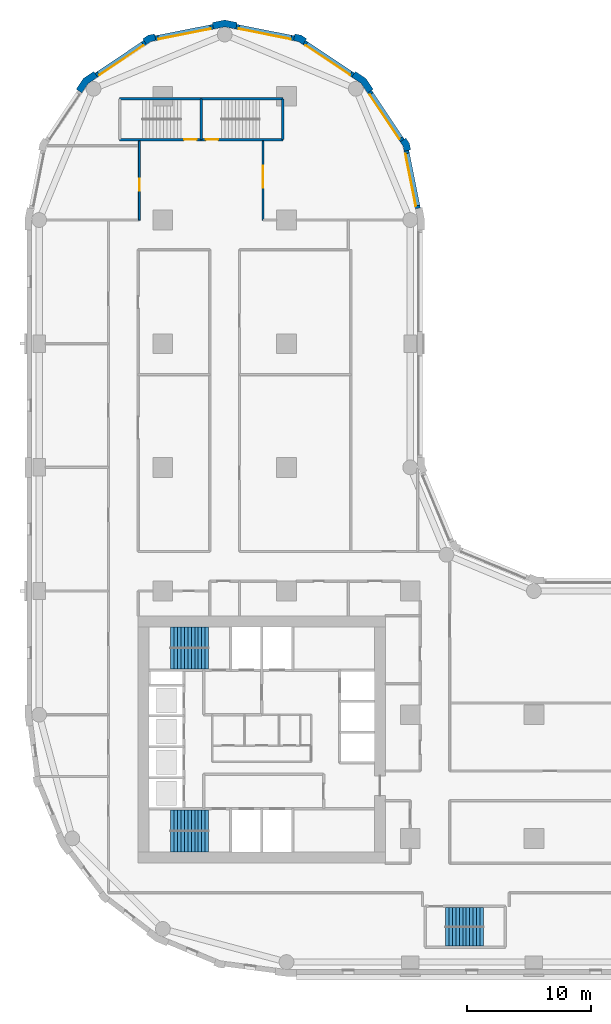
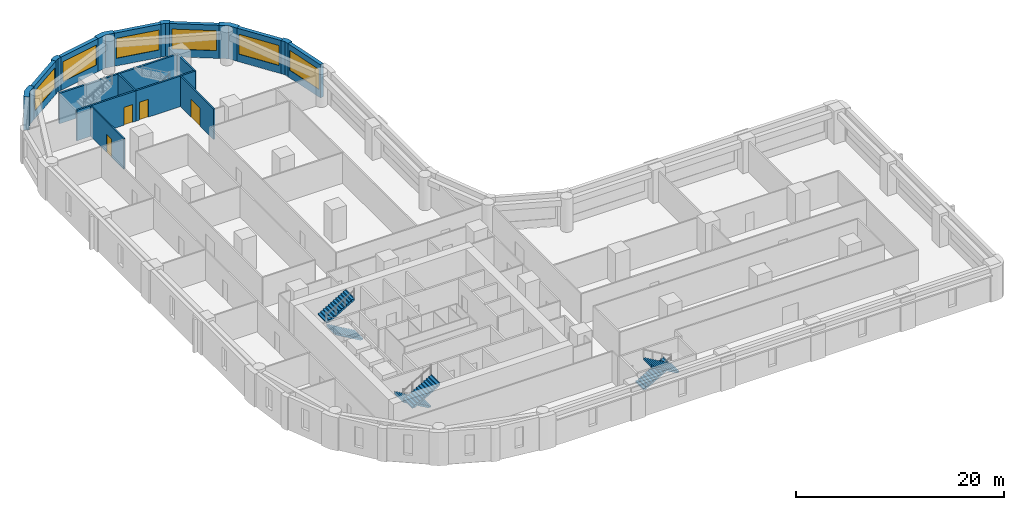
# One storey, part 7 of 10: 20 walls, 6 stair flights, 6 windows, 4 doors, 10 openings, 3 elements without a shape of their own.
"""IFC4 building model written with IfcOpenShell, lengths in metres."""

from ifc_helpers import new_model, si_unit, direction, frame, frame_2d, origin, place, context, subcontext, project, spatial, polyline, rectangle, outline, extrude, material, layer, layer_set, type_object, element, fill, aggregate, save


model = new_model("IFC4")

# Units and contexts
model_context = context("Model", 3, precision=1e-05, world=origin(), true_north=direction((0.0, 1.0)))
body_context = subcontext(model_context, "Body", "Model", "MODEL_VIEW")
ifc_project = project(units=[si_unit("LENGTHUNIT", "METRE"), si_unit("AREAUNIT", "SQUARE_METRE"), si_unit("VOLUMEUNIT", "CUBIC_METRE"), si_unit("PLANEANGLEUNIT", "RADIAN"), si_unit("MASSUNIT", "GRAM", prefix="KILO")], contexts=[model_context])

# Site, building, storey
site_placement = place(None, origin())
site = spatial("IfcSite", under=ifc_project, at=site_placement, CompositionType="ELEMENT")
building_placement = place(site_placement, origin())
building = spatial("IfcBuilding", under=site, at=building_placement, Name="Qaws Garden Tower", CompositionType="ELEMENT")
storey_placement = place(building_placement, frame((0.0, 0.0, 19.800048828125)))
storey = spatial("IfcBuildingStorey", under=building, at=storey_placement, Name="L04", CompositionType="ELEMENT", Elevation=19.800048828125)

# Wall, opening, window
ifc_material_1 = material(Name="Clay facing brick masonry", Category="masonry")
ifc_layer_1 = layer(ifc_material_1, 0.39990234375)
ifc_layer_set_1 = layer_set([ifc_layer_1], Name="Clay facing brick masonry")
wall_type_1 = type_object("IfcWallType", Name="Brick infill wall 400", PredefinedType="SOLIDWALL", material=ifc_layer_set_1)
wall_1_placement = place(storey_placement, frame((30.628662109375, 60.940673828125, 0.0), z_axis=(0.0, 0.0, 1.0), x_axis=(-0.195098533057, 0.98078364709, 0.0)))
wall_1 = element("IfcWall", 1, at=wall_1_placement, inside=storey, type_object=wall_type_1, Name="E-L04-infill-15", PredefinedType="SOLIDWALL", context=body_context, shape_type="SweptSolid", body=[
    extrude(rectangle(XDim=4.752685546875, YDim=0.39990234375, at=frame_2d((2.37646484375, 0.0))), origin(), (0.0, 0.0, 1.0), 3.89990234375),
])
opening_1_placement = place(wall_1_placement, frame((0.226318359375, 0.0, 0.89990234375)))
opening_1 = element("IfcOpeningElement", 2, at=opening_1_placement, cuts=wall_1, Name="Opening W06", PredefinedType="OPENING", context=body_context, shape_type="SweptSolid", body=[
    extrude(rectangle(XDim=4.300048828125, YDim=2.35009765625, at=frame_2d((2.14990234375, 1.175048828125))), frame((0.0, 0.2099609375, 0.0), z_axis=(0.0, -1.0, 0.0), x_axis=(1.0, 0.0, 0.0)), (0.0, 0.0, 1.0), 0.419921875),
])
ifc_material_2 = material(Name="Aluminium framed window, clear glazing", Category="aluminium")
window_type = type_object("IfcWindowType", Name="Ribbon window 4300 x 2350", PartitioningType="DOUBLE_PANEL_VERTICAL", PredefinedType="WINDOW", material=ifc_material_2)
window_1_placement = place(opening_1_placement, origin())
window_1 = element("IfcWindow", 3, at=window_1_placement, inside=storey, type_object=window_type, Name="E-L04-window-15-0", OverallHeight=2.35009765625, OverallWidth=4.300048828125, PartitioningType="SINGLE_PANEL", PredefinedType="WINDOW", context=body_context, shape_type="SweptSolid", body=[
    extrude(rectangle(XDim=4.300048828125, YDim=2.35009765625, at=frame_2d((2.14990234375, 1.175048828125))), frame((0.0, 0.159912109375, 0.0), z_axis=(0.0, -1.0, 0.0), x_axis=(1.0, 0.0, 0.0)), (0.0, 0.0, 1.0), 0.06005859375),
])
fill(opening_1, window_1)

wall_2_placement = place(storey_placement, frame((29.356689453125, 66.43408203125, 0.0), z_axis=(0.0, 0.0, 1.0), x_axis=(-0.555541552266, 0.831488775454, 0.0)))
wall_2 = element("IfcWall", 4, at=wall_2_placement, inside=storey, type_object=wall_type_1, Name="E-L04-infill-16", PredefinedType="SOLIDWALL", context=body_context, shape_type="SweptSolid", body=[
    extrude(rectangle(XDim=4.752685546875, YDim=0.39990234375, at=frame_2d((2.37646484375, 0.0))), origin(), (0.0, 0.0, 1.0), 3.89990234375),
])
opening_2_placement = place(wall_2_placement, frame((0.226318359375, 0.0, 0.89990234375)))
opening_2 = element("IfcOpeningElement", 5, at=opening_2_placement, cuts=wall_2, Name="Opening W06", PredefinedType="OPENING", context=body_context, shape_type="SweptSolid", body=[
    extrude(rectangle(XDim=4.300048828125, YDim=2.35009765625, at=frame_2d((2.14990234375, 1.175048828125))), frame((0.0, 0.2099609375, 0.0), z_axis=(0.0, -1.0, 0.0), x_axis=(1.0, 0.0, 0.0)), (0.0, 0.0, 1.0), 0.419921875),
])
window_2_placement = place(opening_2_placement, origin())
window_2 = element("IfcWindow", 6, at=window_2_placement, inside=storey, type_object=window_type, Name="E-L04-window-16-0", OverallHeight=2.35009765625, OverallWidth=4.300048828125, PartitioningType="SINGLE_PANEL", PredefinedType="WINDOW", context=body_context, shape_type="SweptSolid", body=[
    extrude(rectangle(XDim=4.300048828125, YDim=2.35009765625, at=frame_2d((2.14990234375, 1.175048828125))), frame((0.0, 0.159912109375, 0.0), z_axis=(0.0, -1.0, 0.0), x_axis=(1.0, 0.0, 0.0)), (0.0, 0.0, 1.0), 0.06005859375),
])
fill(opening_2, window_2)

wall_3_placement = place(storey_placement, frame((25.385986328125, 71.71630859375, 0.0), z_axis=(0.0, 0.0, 1.0), x_axis=(-0.831488775454, 0.555541552266, 0.0)))
wall_3 = element("IfcWall", 7, at=wall_3_placement, inside=storey, type_object=wall_type_1, Name="E-L04-infill-17", PredefinedType="SOLIDWALL", context=body_context, shape_type="SweptSolid", body=[
    extrude(rectangle(XDim=4.752685546875, YDim=0.39990234375, at=frame_2d((2.37646484375, 0.0))), origin(), (0.0, 0.0, 1.0), 3.89990234375),
])
opening_3_placement = place(wall_3_placement, frame((0.226318359375, 0.0, 0.89990234375)))
opening_3 = element("IfcOpeningElement", 8, at=opening_3_placement, cuts=wall_3, Name="Opening W06", PredefinedType="OPENING", context=body_context, shape_type="SweptSolid", body=[
    extrude(rectangle(XDim=4.300048828125, YDim=2.35009765625, at=frame_2d((2.14990234375, 1.175048828125))), frame((0.0, 0.2099609375, 0.0), z_axis=(0.0, -1.0, 0.0), x_axis=(1.0, 0.0, 0.0)), (0.0, 0.0, 1.0), 0.419921875),
])
window_3_placement = place(opening_3_placement, origin())
window_3 = element("IfcWindow", 9, at=window_3_placement, inside=storey, type_object=window_type, Name="E-L04-window-17-0", OverallHeight=2.35009765625, OverallWidth=4.300048828125, PartitioningType="SINGLE_PANEL", PredefinedType="WINDOW", context=body_context, shape_type="SweptSolid", body=[
    extrude(rectangle(XDim=4.300048828125, YDim=2.35009765625, at=frame_2d((2.14990234375, 1.175048828125))), frame((0.0, 0.159912109375, 0.0), z_axis=(0.0, -1.0, 0.0), x_axis=(1.0, 0.0, 0.0)), (0.0, 0.0, 1.0), 0.06005859375),
])
fill(opening_3, window_3)

wall_4_placement = place(storey_placement, frame((20.60205078125, 74.701416015625, 0.0), z_axis=(0.0, 0.0, 1.0), x_axis=(-0.98078364709, 0.195098533057, 0.0)))
wall_4 = element("IfcWall", 10, at=wall_4_placement, inside=storey, type_object=wall_type_1, Name="E-L04-infill-18", PredefinedType="SOLIDWALL", context=body_context, shape_type="SweptSolid", body=[
    extrude(rectangle(XDim=4.752685546875, YDim=0.39990234375, at=frame_2d((2.37646484375, 0.0))), origin(), (0.0, 0.0, 1.0), 3.89990234375),
])
opening_4_placement = place(wall_4_placement, frame((0.226318359375, 0.0, 0.89990234375)))
opening_4 = element("IfcOpeningElement", 11, at=opening_4_placement, cuts=wall_4, Name="Opening W06", PredefinedType="OPENING", context=body_context, shape_type="SweptSolid", body=[
    extrude(rectangle(XDim=4.300048828125, YDim=2.35009765625, at=frame_2d((2.14990234375, 1.175048828125))), frame((0.0, 0.2099609375, 0.0), z_axis=(0.0, -1.0, 0.0), x_axis=(1.0, 0.0, 0.0)), (0.0, 0.0, 1.0), 0.419921875),
])
window_4_placement = place(opening_4_placement, origin())
window_4 = element("IfcWindow", 12, at=window_4_placement, inside=storey, type_object=window_type, Name="E-L04-window-18-0", OverallHeight=2.35009765625, OverallWidth=4.300048828125, PartitioningType="SINGLE_PANEL", PredefinedType="WINDOW", context=body_context, shape_type="SweptSolid", body=[
    extrude(rectangle(XDim=4.300048828125, YDim=2.35009765625, at=frame_2d((2.14990234375, 1.175048828125))), frame((0.0, 0.159912109375, 0.0), z_axis=(0.0, -1.0, 0.0), x_axis=(1.0, 0.0, 0.0)), (0.0, 0.0, 1.0), 0.06005859375),
])
fill(opening_4, window_4)

wall_5_placement = place(storey_placement, frame((14.059326171875, 75.628662109375, 0.0), z_axis=(0.0, 0.0, 1.0), x_axis=(-0.98078364709, -0.195098533057, 0.0)))
wall_5 = element("IfcWall", 13, at=wall_5_placement, inside=storey, type_object=wall_type_1, Name="E-L04-infill-19", PredefinedType="SOLIDWALL", context=body_context, shape_type="SweptSolid", body=[
    extrude(rectangle(XDim=4.752685546875, YDim=0.39990234375, at=frame_2d((2.37646484375, 0.0))), origin(), (0.0, 0.0, 1.0), 3.89990234375),
])
opening_5_placement = place(wall_5_placement, frame((0.226318359375, 0.0, 0.89990234375)))
opening_5 = element("IfcOpeningElement", 14, at=opening_5_placement, cuts=wall_5, Name="Opening W06", PredefinedType="OPENING", context=body_context, shape_type="SweptSolid", body=[
    extrude(rectangle(XDim=4.300048828125, YDim=2.35009765625, at=frame_2d((2.14990234375, 1.175048828125))), frame((0.0, 0.2099609375, 0.0), z_axis=(0.0, -1.0, 0.0), x_axis=(1.0, 0.0, 0.0)), (0.0, 0.0, 1.0), 0.419921875),
])
window_5_placement = place(opening_5_placement, origin())
window_5 = element("IfcWindow", 15, at=window_5_placement, inside=storey, type_object=window_type, Name="E-L04-window-19-0", OverallHeight=2.35009765625, OverallWidth=4.300048828125, PartitioningType="SINGLE_PANEL", PredefinedType="WINDOW", context=body_context, shape_type="SweptSolid", body=[
    extrude(rectangle(XDim=4.300048828125, YDim=2.35009765625, at=frame_2d((2.14990234375, 1.175048828125))), frame((0.0, 0.159912109375, 0.0), z_axis=(0.0, -1.0, 0.0), x_axis=(1.0, 0.0, 0.0)), (0.0, 0.0, 1.0), 0.06005859375),
])
fill(opening_5, window_5)

wall_6_placement = place(storey_placement, frame((8.56591796875, 74.356689453125, 0.0), z_axis=(0.0, 0.0, 1.0), x_axis=(-0.831488775454, -0.555541552266, 0.0)))
wall_6 = element("IfcWall", 16, at=wall_6_placement, inside=storey, type_object=wall_type_1, Name="E-L04-infill-20", PredefinedType="SOLIDWALL", context=body_context, shape_type="SweptSolid", body=[
    extrude(rectangle(XDim=4.752685546875, YDim=0.39990234375, at=frame_2d((2.37646484375, 0.0))), origin(), (0.0, 0.0, 1.0), 3.89990234375),
])
opening_6_placement = place(wall_6_placement, frame((0.226318359375, 0.0, 0.89990234375)))
opening_6 = element("IfcOpeningElement", 17, at=opening_6_placement, cuts=wall_6, Name="Opening W06", PredefinedType="OPENING", context=body_context, shape_type="SweptSolid", body=[
    extrude(rectangle(XDim=4.300048828125, YDim=2.35009765625, at=frame_2d((2.14990234375, 1.175048828125))), frame((0.0, 0.2099609375, 0.0), z_axis=(0.0, -1.0, 0.0), x_axis=(1.0, 0.0, 0.0)), (0.0, 0.0, 1.0), 0.419921875),
])
window_6_placement = place(opening_6_placement, origin())
window_6 = element("IfcWindow", 18, at=window_6_placement, inside=storey, type_object=window_type, Name="E-L04-window-20-0", OverallHeight=2.35009765625, OverallWidth=4.300048828125, PartitioningType="SINGLE_PANEL", PredefinedType="WINDOW", context=body_context, shape_type="SweptSolid", body=[
    extrude(rectangle(XDim=4.300048828125, YDim=2.35009765625, at=frame_2d((2.14990234375, 1.175048828125))), frame((0.0, 0.159912109375, 0.0), z_axis=(0.0, -1.0, 0.0), x_axis=(1.0, 0.0, 0.0)), (0.0, 0.0, 1.0), 0.06005859375),
])
fill(opening_6, window_6)

# Walls
ifc_material_3 = material(Name="Clay facing brick masonry", Category="masonry")
ifc_layer_2 = layer(ifc_material_3, 0.550048828125)
ifc_layer_set_2 = layer_set([ifc_layer_2], Name="Clay facing brick masonry")
wall_type_2 = type_object("IfcWallType", Name="Brick kink pier 550 x 600", PredefinedType="SOLIDWALL", material=ifc_layer_set_2)
placement = place(storey_placement, origin())
element("IfcWall", 19, at=placement, inside=storey, type_object=wall_type_2, Name="E-L04-pier-16", PredefinedType="SOLIDWALL", context=body_context, shape_type="SweptSolid", body=[
    extrude(outline(polyline([(29.8974609375, 65.64111328125), (30.044677734375, 65.67041015625), (29.94140625, 66.18896484375), (29.647705078125, 66.628662109375), (29.52294921875, 66.545166015625), (29.1904296875, 66.322998046875), (29.42333984375, 65.974365234375), (29.505126953125, 65.56298828125), (29.8974609375, 65.64111328125)])), origin(), (0.0, 0.0, 1.0), 3.89990234375),
])
element("IfcWall", 20, at=placement, inside=storey, type_object=wall_type_2, Name="E-L04-pier-18", PredefinedType="SOLIDWALL", context=body_context, shape_type="SweptSolid", body=[
    extrude(outline(polyline([(21.545166015625, 74.52294921875), (21.628662109375, 74.647705078125), (21.18896484375, 74.94140625), (20.67041015625, 75.044677734375), (20.64111328125, 74.8974609375), (20.56298828125, 74.505126953125), (20.974365234375, 74.42333984375), (21.322998046875, 74.1904296875), (21.545166015625, 74.52294921875)])), origin(), (0.0, 0.0, 1.0), 3.89990234375),
])
element("IfcWall", 21, at=placement, inside=storey, type_object=wall_type_2, Name="E-L04-pier-20", PredefinedType="SOLIDWALL", context=body_context, shape_type="SweptSolid", body=[
    extrude(outline(polyline([(9.35888671875, 74.8974609375), (9.32958984375, 75.044677734375), (8.81103515625, 74.94140625), (8.371337890625, 74.647705078125), (8.454833984375, 74.52294921875), (8.677001953125, 74.1904296875), (9.025634765625, 74.42333984375), (9.43701171875, 74.505126953125), (9.35888671875, 74.8974609375)])), origin(), (0.0, 0.0, 1.0), 3.89990234375),
])
ifc_material_4 = material(Name="Clay facing brick masonry", Category="masonry")
ifc_layer_3 = layer(ifc_material_4, 0.550048828125)
ifc_layer_set_3 = layer_set([ifc_layer_3], Name="Clay facing brick masonry")
wall_type_3 = type_object("IfcWallType", Name="Brick pier 550 x 1600", PredefinedType="SOLIDWALL", material=ifc_layer_set_3)
element("IfcWall", 22, at=placement, inside=storey, type_object=wall_type_3, Name="E-L04-pier-17", PredefinedType="SOLIDWALL", context=body_context, shape_type="SweptSolid", body=[
    extrude(outline(polyline([(26.882568359375, 70.4970703125), (27.00732421875, 70.580322265625), (26.435791015625, 71.435791015625), (25.580322265625, 72.00732421875), (25.4970703125, 71.882568359375), (25.274658203125, 71.550048828125), (26.0390625, 71.0390625), (26.550048828125, 70.274658203125), (26.882568359375, 70.4970703125)])), origin(), (0.0, 0.0, 1.0), 3.89990234375),
])
element("IfcWall", 23, at=placement, inside=storey, type_object=wall_type_3, Name="E-L04-pier-19", PredefinedType="SOLIDWALL", context=body_context, shape_type="SweptSolid", body=[
    extrude(outline(polyline([(15.979736328125, 75.82470703125), (16.009033203125, 75.971923828125), (15.0, 76.172607421875), (13.990966796875, 75.971923828125), (14.020263671875, 75.82470703125), (14.098388671875, 75.432373046875), (15.0, 75.61181640625), (15.901611328125, 75.432373046875), (15.979736328125, 75.82470703125)])), origin(), (0.0, 0.0, 1.0), 3.89990234375),
])
element("IfcWall", 24, at=placement, inside=storey, type_object=wall_type_3, Name="E-L04-pier-21", PredefinedType="SOLIDWALL", context=body_context, shape_type="SweptSolid", body=[
    extrude(outline(polyline([(4.5029296875, 71.882568359375), (4.419677734375, 72.00732421875), (3.564208984375, 71.435791015625), (2.99267578125, 70.580322265625), (3.117431640625, 70.4970703125), (3.449951171875, 70.274658203125), (3.9609375, 71.0390625), (4.725341796875, 71.550048828125), (4.5029296875, 71.882568359375)])), origin(), (0.0, 0.0, 1.0), 3.89990234375),
])

# Wall, opening, door
ifc_material_5 = material(Name="Concrete C80", Category="concrete")
ifc_layer_4 = layer(ifc_material_5, 0.199951171875)
ifc_layer_set_4 = layer_set([ifc_layer_4], Name="Concrete C80")
wall_type_4 = type_object("IfcWallType", Name="Core shaft wall 200 C80", PredefinedType="SHEAR", material=ifc_layer_set_4)
wall_13_placement = place(storey_placement, frame((6.5, 66.5, 0.0), z_axis=(0.0, 0.0, 1.0), x_axis=(1.0, 0.0, 0.0)))
wall_13 = element("IfcWall", 25, at=wall_13_placement, inside=storey, type_object=wall_type_4, Name="Shaft wall", PredefinedType="SHEAR", context=body_context, shape_type="SweptSolid", body=[
    extrude(rectangle(XDim=6.60009765625, YDim=0.199951171875, at=frame_2d((3.300048828125, 0.0))), origin(), (0.0, 0.0, 1.0), 3.579833984375),
])
opening_7_placement = place(wall_13_placement, frame((5.22509765625, 0.0, 0.0)))
opening_7 = element("IfcOpeningElement", 26, at=opening_7_placement, cuts=wall_13, Name="Opening SD13", PredefinedType="OPENING", context=body_context, shape_type="SweptSolid", body=[
    extrude(rectangle(XDim=1.0, YDim=2.10009765625, at=frame_2d((0.5, 1.050048828125))), frame((0.0, 0.10986328125, 0.0), z_axis=(0.0, -1.0, 0.0), x_axis=(1.0, 0.0, 0.0)), (0.0, 0.0, 1.0), 0.219970703125),
])
ifc_material_6 = material(Name="Steel S235", Category="steel")
door_type_1 = type_object("IfcDoorType", Name="Stair door 1000x2100", OperationType="SINGLE_SWING_RIGHT", PredefinedType="DOOR", material=ifc_material_6)
door_1_placement = place(opening_7_placement, origin())
door_1 = element("IfcDoor", 27, at=door_1_placement, inside=storey, type_object=door_type_1, Name="Stair 6 door", OperationType="SINGLE_SWING_RIGHT", OverallHeight=2.10009765625, OverallWidth=1.0, PredefinedType="DOOR", context=body_context, shape_type="SweptSolid", body=[
    extrude(rectangle(XDim=1.0, YDim=2.10009765625, at=frame_2d((0.5, 1.050048828125))), frame((0.0, 0.02490234375, 0.0), z_axis=(0.0, -1.0, 0.0), x_axis=(1.0, 0.0, 0.0)), (0.0, 0.0, 1.0), 0.050048828125),
])
fill(opening_7, door_1)

wall_14_placement = place(storey_placement, frame((13.10009765625, 66.5, 0.0), z_axis=(0.0, 0.0, 1.0), x_axis=(1.0, 0.0, 0.0)))
wall_14 = element("IfcWall", 28, at=wall_14_placement, inside=storey, type_object=wall_type_4, Name="Shaft wall", PredefinedType="SHEAR", context=body_context, shape_type="SweptSolid", body=[
    extrude(rectangle(XDim=6.599853515625, YDim=0.199951171875, at=frame_2d((3.2998046875, 0.0))), origin(), (0.0, 0.0, 1.0), 3.579833984375),
])
opening_8_placement = place(wall_14_placement, frame((0.375, 0.0, 0.0)))
opening_8 = element("IfcOpeningElement", 29, at=opening_8_placement, cuts=wall_14, Name="Opening SD14", PredefinedType="OPENING", context=body_context, shape_type="SweptSolid", body=[
    extrude(rectangle(XDim=1.0, YDim=2.10009765625, at=frame_2d((0.5, 1.050048828125))), frame((0.0, 0.10986328125, 0.0), z_axis=(0.0, -1.0, 0.0), x_axis=(1.0, 0.0, 0.0)), (0.0, 0.0, 1.0), 0.219970703125),
])
door_2_placement = place(opening_8_placement, origin())
door_2 = element("IfcDoor", 30, at=door_2_placement, inside=storey, type_object=door_type_1, Name="Stair 7 door", OperationType="SINGLE_SWING_LEFT", OverallHeight=2.10009765625, OverallWidth=1.0, PredefinedType="DOOR", context=body_context, shape_type="SweptSolid", body=[
    extrude(rectangle(XDim=1.0, YDim=2.10009765625, at=frame_2d((0.5, 1.050048828125))), frame((0.0, 0.02490234375, 0.0), z_axis=(0.0, -1.0, 0.0), x_axis=(1.0, 0.0, 0.0)), (0.0, 0.0, 1.0), 0.050048828125),
])
fill(opening_8, door_2)

# Walls
wall_15_placement = place(storey_placement, frame((6.5, 69.800048828125, 0.0), z_axis=(0.0, 0.0, 1.0), x_axis=(1.0, 0.0, 0.0)))
element("IfcWall", 31, at=wall_15_placement, inside=storey, type_object=wall_type_4, Name="Shaft wall", PredefinedType="SHEAR", context=body_context, shape_type="SweptSolid", body=[
    extrude(rectangle(XDim=6.60009765625, YDim=0.199951171875, at=frame_2d((3.300048828125, 0.0))), origin(), (0.0, 0.0, 1.0), 3.579833984375),
])
wall_16_placement = place(storey_placement, frame((13.10009765625, 69.800048828125, 0.0), z_axis=(0.0, 0.0, 1.0), x_axis=(1.0, 0.0, 0.0)))
element("IfcWall", 32, at=wall_16_placement, inside=storey, type_object=wall_type_4, Name="Shaft wall", PredefinedType="SHEAR", context=body_context, shape_type="SweptSolid", body=[
    extrude(rectangle(XDim=6.599853515625, YDim=0.199951171875, at=frame_2d((3.2998046875, 0.0))), origin(), (0.0, 0.0, 1.0), 3.579833984375),
])
for number, where, z_axis, x_axis, name in (
    (33, (13.10009765625, 66.5, 0.0), (0.0, 0.0, 1.0), (0.0, 1.0, 0.0), "Shaft wall"),
    (34, (19.699951171875, 66.5, 0.0), (0.0, 0.0, 1.0), (0.0, 1.0, 0.0), "Shaft wall"),
):
    element("IfcWall", number, at=place(storey_placement, frame(where, z_axis=z_axis, x_axis=x_axis)), inside=storey, type_object=wall_type_4, Name=name, PredefinedType="SHEAR", context=body_context, shape_type="SweptSolid", body=[
        extrude(rectangle(XDim=3.300048828125, YDim=0.199951171875, at=frame_2d((1.64990234375, 0.0))), origin(), (0.0, 0.0, 1.0), 3.579833984375),
    ])

# Wall, opening, door
ifc_material_7 = material(Name="Gypsum board partition")
ifc_layer_5 = layer(ifc_material_7, 0.14990234375)
ifc_layer_set_5 = layer_set([ifc_layer_5], Name="Gypsum board partition")
wall_type_5 = type_object("IfcWallType", Name="PARTITION 150 EI 60", PredefinedType="PARTITIONING", material=ifc_layer_set_5)
wall_17_placement = place(storey_placement, frame((8.10009765625, 60.0, 0.0), z_axis=(0.0, 0.0, 1.0), x_axis=(0.0, 1.0, 0.0)))
wall_17 = element("IfcWall", 35, at=wall_17_placement, inside=storey, type_object=wall_type_5, Name="O-L04-wall-005", PredefinedType="PARTITIONING", context=body_context, shape_type="SweptSolid", body=[
    extrude(rectangle(XDim=6.39990234375, YDim=0.14990234375, at=frame_2d((3.199951171875, 0.0))), origin(), (0.0, 0.0, 1.0), 3.579833984375),
])
opening_9_placement = place(wall_17_placement, frame((2.35009765625, 0.0, 0.0)))
opening_9 = element("IfcOpeningElement", 36, at=opening_9_placement, cuts=wall_17, Name="Opening A116", PredefinedType="OPENING", context=body_context, shape_type="SweptSolid", body=[
    extrude(rectangle(XDim=1.0, YDim=2.10009765625, at=frame_2d((0.5, 1.050048828125))), frame((0.0, 0.0849609375, 0.0), z_axis=(0.0, -1.0, 0.0), x_axis=(1.0, 0.0, 0.0)), (0.0, 0.0, 1.0), 0.169921875),
])
ifc_material_8 = material(Name="Timber door leaf", Category="wood")
door_type_2 = type_object("IfcDoorType", Name="TENANCY ENTRANCE DOOR 1000 X 2100", OperationType="SINGLE_SWING_LEFT", PredefinedType="DOOR", material=ifc_material_8)
door_3_placement = place(opening_9_placement, origin())
door_3 = element("IfcDoor", 37, at=door_3_placement, inside=storey, type_object=door_type_2, Name="O-L04-door-016", OperationType="SINGLE_SWING_LEFT", OverallHeight=2.10009765625, OverallWidth=1.0, PredefinedType="DOOR", context=body_context, shape_type="SweptSolid", body=[
    extrude(rectangle(XDim=1.0, YDim=2.10009765625, at=frame_2d((0.5, 1.050048828125))), frame((0.0, 0.02490234375, 0.0), z_axis=(0.0, -1.0, 0.0), x_axis=(1.0, 0.0, 0.0)), (0.0, 0.0, 1.0), 0.050048828125),
])
fill(opening_9, door_3)

wall_18_placement = place(storey_placement, frame((18.10009765625, 60.0, 0.0), z_axis=(0.0, 0.0, 1.0), x_axis=(0.0, 1.0, 0.0)))
wall_18 = element("IfcWall", 38, at=wall_18_placement, inside=storey, type_object=wall_type_5, Name="O-L04-wall-010", PredefinedType="PARTITIONING", context=body_context, shape_type="SweptSolid", body=[
    extrude(rectangle(XDim=6.39990234375, YDim=0.14990234375, at=frame_2d((3.199951171875, 0.0))), origin(), (0.0, 0.0, 1.0), 3.579833984375),
])
opening_10_placement = place(wall_18_placement, frame((2.60009765625, 0.0, 0.0)))
opening_10 = element("IfcOpeningElement", 39, at=opening_10_placement, cuts=wall_18, Name="Opening A117", PredefinedType="OPENING", context=body_context, shape_type="SweptSolid", body=[
    extrude(rectangle(XDim=1.800048828125, YDim=2.10009765625, at=frame_2d((0.89990234375, 1.050048828125))), frame((0.0, 0.0849609375, 0.0), z_axis=(0.0, -1.0, 0.0), x_axis=(1.0, 0.0, 0.0)), (0.0, 0.0, 1.0), 0.169921875),
])
ifc_material_9 = material(Name="Timber door leaf", Category="wood")
door_type_3 = type_object("IfcDoorType", Name="DOUBLE DOOR 1800 X 2100", OperationType="DOUBLE_DOOR_SINGLE_SWING", PredefinedType="DOOR", material=ifc_material_9)
door_4_placement = place(opening_10_placement, frame((1.800048828125, 0.0, 0.0), z_axis=(0.0, 0.0, 1.0), x_axis=(-1.0, 0.0, 0.0)))
door_4 = element("IfcDoor", 40, at=door_4_placement, inside=storey, type_object=door_type_3, Name="O-L04-door-017", OperationType="DOUBLE_DOOR_SINGLE_SWING", OverallHeight=2.10009765625, OverallWidth=1.800048828125, PredefinedType="DOOR", context=body_context, shape_type="SweptSolid", body=[
    extrude(rectangle(XDim=1.800048828125, YDim=2.10009765625, at=frame_2d((0.89990234375, 1.050048828125))), frame((0.0, 0.02490234375, 0.0), z_axis=(0.0, -1.0, 0.0), x_axis=(1.0, 0.0, 0.0)), (0.0, 0.0, 1.0), 0.050048828125),
])
fill(opening_10, door_4)

# Stair, stair flights
ifc_material_10 = material(Name="Concrete C40", Category="concrete")
stair_type_1 = type_object("IfcStairType", Name="Exit stair 1350", PredefinedType="HALF_TURN_STAIR", material=ifc_material_10)
stair_1 = element("IfcStair", 41, at=placement, inside=storey, type_object=stair_type_1, Name="Stair 5", PredefinedType="HALF_TURN_STAIR")
ifc_material_11 = material(Name="Concrete C40", Category="concrete")
stair_flight_type_1 = type_object("IfcStairFlightType", Name="Stair flight 1350", PredefinedType="STRAIGHT", material=ifc_material_11)
stair_flight_1_placement = place(storey_placement, frame((32.85009765625, 3.625, 0.0), z_axis=(0.0, 0.0, 1.0), x_axis=(1.0, 0.0, 0.0)))
stair_flight_1 = element("IfcStairFlight", 42, at=stair_flight_1_placement, type_object=stair_flight_type_1, Name="ST5 flight 1", NumberOfRisers=12, NumberOfTreads=11, PredefinedType="STRAIGHT", RiserHeight=0.1625, TreadLength=0.28, context=body_context, shape_type="SweptSolid", body=[
    extrude(outline(polyline([(-0.0029296875, 0.0), (-0.0029296875, 0.16259765625), (0.0, 0.16259765625), (0.280029296875, 0.16259765625), (0.280029296875, 0.324951171875), (0.56005859375, 0.324951171875), (0.56005859375, 0.487548828125), (0.840087890625, 0.487548828125), (0.840087890625, 0.64990234375), (1.1201171875, 0.64990234375), (1.1201171875, 0.8125), (1.39990234375, 0.8125), (1.39990234375, 0.97509765625), (1.679931640625, 0.97509765625), (1.679931640625, 1.137451171875), (1.9599609375, 1.137451171875), (1.9599609375, 1.300048828125), (2.239990234375, 1.300048828125), (2.239990234375, 1.46240234375), (2.52001953125, 1.46240234375), (2.52001953125, 1.625), (2.800048828125, 1.625), (2.800048828125, 1.78759765625), (3.080078125, 1.78759765625), (3.080078125, 1.949951171875), (3.0830078125, 1.949951171875), (3.0830078125, 1.6142578125), (3.080078125, 1.6142578125), (0.298583984375, 0.0), (-0.0029296875, 0.0)])), frame((0.0, 0.77490234375, 0.0), z_axis=(0.0, -1.0, 0.0), x_axis=(1.0, 0.0, 0.0)), (0.0, 0.0, 1.0), 1.550048828125),
])
stair_flight_2_placement = place(storey_placement, frame((35.929931640625, 2.074951171875, 1.949951171875), z_axis=(0.0, 0.0, 1.0), x_axis=(-1.0, 0.0, 0.0)))
stair_flight_2 = element("IfcStairFlight", 43, at=stair_flight_2_placement, type_object=stair_flight_type_1, Name="ST5 flight 2", NumberOfRisers=12, NumberOfTreads=11, PredefinedType="STRAIGHT", RiserHeight=0.1625, TreadLength=0.28, context=body_context, shape_type="SweptSolid", body=[
    extrude(outline(polyline([(-0.0029296875, 0.0), (-0.0029296875, 0.16259765625), (0.0, 0.16259765625), (0.280029296875, 0.16259765625), (0.280029296875, 0.324951171875), (0.56005859375, 0.324951171875), (0.56005859375, 0.487548828125), (0.840087890625, 0.487548828125), (0.840087890625, 0.64990234375), (1.1201171875, 0.64990234375), (1.1201171875, 0.8125), (1.39990234375, 0.8125), (1.39990234375, 0.97509765625), (1.679931640625, 0.97509765625), (1.679931640625, 1.137451171875), (1.9599609375, 1.137451171875), (1.9599609375, 1.300048828125), (2.239990234375, 1.300048828125), (2.239990234375, 1.46240234375), (2.52001953125, 1.46240234375), (2.52001953125, 1.625), (2.800048828125, 1.625), (2.800048828125, 1.78759765625), (3.080078125, 1.78759765625), (3.080078125, 1.949951171875), (3.0830078125, 1.949951171875), (3.0830078125, 1.6142578125), (3.080078125, 1.6142578125), (0.298583984375, 0.0), (-0.0029296875, 0.0)])), frame((0.0, 0.77490234375, 0.0), z_axis=(0.0, -1.0, 0.0), x_axis=(1.0, 0.0, 0.0)), (0.0, 0.0, 1.0), 1.550048828125),
])
aggregate(stair_1, [stair_flight_1, stair_flight_2])

ifc_material_12 = material(Name="Concrete C40", Category="concrete")
stair_type_2 = type_object("IfcStairType", Name="Exit stair 1500", PredefinedType="HALF_TURN_STAIR", material=ifc_material_12)
stair_2 = element("IfcStair", 44, at=placement, inside=storey, type_object=stair_type_2, Name="Stair 1", PredefinedType="HALF_TURN_STAIR")
ifc_material_13 = material(Name="Concrete C40", Category="concrete")
stair_flight_type_2 = type_object("IfcStairFlightType", Name="Stair flight 1500", PredefinedType="STRAIGHT", material=ifc_material_13)
stair_flight_3_placement = place(storey_placement, frame((13.699951171875, 11.449951171875, 0.0), z_axis=(0.0, 0.0, 1.0), x_axis=(-1.0, 0.0, 0.0)))
stair_flight_3 = element("IfcStairFlight", 45, at=stair_flight_3_placement, type_object=stair_flight_type_2, Name="ST1 flight 1", NumberOfRisers=12, NumberOfTreads=11, PredefinedType="STRAIGHT", RiserHeight=0.1625, TreadLength=0.28, context=body_context, shape_type="SweptSolid", body=[
    extrude(outline(polyline([(-0.0029296875, 0.0), (-0.0029296875, 0.16259765625), (0.0, 0.16259765625), (0.280029296875, 0.16259765625), (0.280029296875, 0.324951171875), (0.56005859375, 0.324951171875), (0.56005859375, 0.487548828125), (0.840087890625, 0.487548828125), (0.840087890625, 0.64990234375), (1.1201171875, 0.64990234375), (1.1201171875, 0.8125), (1.39990234375, 0.8125), (1.39990234375, 0.97509765625), (1.679931640625, 0.97509765625), (1.679931640625, 1.137451171875), (1.9599609375, 1.137451171875), (1.9599609375, 1.300048828125), (2.239990234375, 1.300048828125), (2.239990234375, 1.46240234375), (2.52001953125, 1.46240234375), (2.52001953125, 1.625), (2.800048828125, 1.625), (2.800048828125, 1.78759765625), (3.080078125, 1.78759765625), (3.080078125, 1.949951171875), (3.0830078125, 1.949951171875), (3.0830078125, 1.6142578125), (3.080078125, 1.6142578125), (0.298583984375, 0.0), (-0.0029296875, 0.0)])), frame((0.0, 0.85009765625, 0.0), z_axis=(0.0, -1.0, 0.0), x_axis=(1.0, 0.0, 0.0)), (0.0, 0.0, 1.0), 1.699951171875),
])
stair_flight_4_placement = place(storey_placement, frame((10.6201171875, 9.75, 1.949951171875), z_axis=(0.0, 0.0, 1.0), x_axis=(1.0, 0.0, 0.0)))
stair_flight_4 = element("IfcStairFlight", 46, at=stair_flight_4_placement, type_object=stair_flight_type_2, Name="ST1 flight 2", NumberOfRisers=12, NumberOfTreads=11, PredefinedType="STRAIGHT", RiserHeight=0.1625, TreadLength=0.28, context=body_context, shape_type="SweptSolid", body=[
    extrude(outline(polyline([(-0.0029296875, 0.0), (-0.0029296875, 0.16259765625), (0.0, 0.16259765625), (0.280029296875, 0.16259765625), (0.280029296875, 0.324951171875), (0.56005859375, 0.324951171875), (0.56005859375, 0.487548828125), (0.840087890625, 0.487548828125), (0.840087890625, 0.64990234375), (1.1201171875, 0.64990234375), (1.1201171875, 0.8125), (1.39990234375, 0.8125), (1.39990234375, 0.97509765625), (1.679931640625, 0.97509765625), (1.679931640625, 1.137451171875), (1.9599609375, 1.137451171875), (1.9599609375, 1.300048828125), (2.239990234375, 1.300048828125), (2.239990234375, 1.46240234375), (2.52001953125, 1.46240234375), (2.52001953125, 1.625), (2.800048828125, 1.625), (2.800048828125, 1.78759765625), (3.080078125, 1.78759765625), (3.080078125, 1.949951171875), (3.0830078125, 1.949951171875), (3.0830078125, 1.6142578125), (3.080078125, 1.6142578125), (0.298583984375, 0.0), (-0.0029296875, 0.0)])), frame((0.0, 0.85009765625, 0.0), z_axis=(0.0, -1.0, 0.0), x_axis=(1.0, 0.0, 0.0)), (0.0, 0.0, 1.0), 1.699951171875),
])
aggregate(stair_2, [stair_flight_3, stair_flight_4])

stair_3 = element("IfcStair", 47, at=placement, inside=storey, type_object=stair_type_2, Name="Stair 4", PredefinedType="HALF_TURN_STAIR")
stair_flight_5_placement = place(storey_placement, frame((13.699951171875, 24.550048828125, 0.0), z_axis=(0.0, 0.0, 1.0), x_axis=(-1.0, 0.0, 0.0)))
stair_flight_5 = element("IfcStairFlight", 48, at=stair_flight_5_placement, type_object=stair_flight_type_2, Name="ST4 flight 1", NumberOfRisers=12, NumberOfTreads=11, PredefinedType="STRAIGHT", RiserHeight=0.1625, TreadLength=0.28, context=body_context, shape_type="SweptSolid", body=[
    extrude(outline(polyline([(-0.0029296875, 0.0), (-0.0029296875, 0.16259765625), (0.0, 0.16259765625), (0.280029296875, 0.16259765625), (0.280029296875, 0.324951171875), (0.56005859375, 0.324951171875), (0.56005859375, 0.487548828125), (0.840087890625, 0.487548828125), (0.840087890625, 0.64990234375), (1.1201171875, 0.64990234375), (1.1201171875, 0.8125), (1.39990234375, 0.8125), (1.39990234375, 0.97509765625), (1.679931640625, 0.97509765625), (1.679931640625, 1.137451171875), (1.9599609375, 1.137451171875), (1.9599609375, 1.300048828125), (2.239990234375, 1.300048828125), (2.239990234375, 1.46240234375), (2.52001953125, 1.46240234375), (2.52001953125, 1.625), (2.800048828125, 1.625), (2.800048828125, 1.78759765625), (3.080078125, 1.78759765625), (3.080078125, 1.949951171875), (3.0830078125, 1.949951171875), (3.0830078125, 1.6142578125), (3.080078125, 1.6142578125), (0.298583984375, 0.0), (-0.0029296875, 0.0)])), frame((0.0, 0.844970703125, 0.0), z_axis=(0.0, -1.0, 0.0), x_axis=(1.0, 0.0, 0.0)), (0.0, 0.0, 1.0), 1.68994140625),
])
stair_flight_6_placement = place(storey_placement, frame((10.6201171875, 26.25, 1.949951171875), z_axis=(0.0, 0.0, 1.0), x_axis=(1.0, 0.0, 0.0)))
stair_flight_6 = element("IfcStairFlight", 49, at=stair_flight_6_placement, type_object=stair_flight_type_2, Name="ST4 flight 2", NumberOfRisers=12, NumberOfTreads=11, PredefinedType="STRAIGHT", RiserHeight=0.1625, TreadLength=0.28, context=body_context, shape_type="SweptSolid", body=[
    extrude(outline(polyline([(-0.0029296875, 0.0), (-0.0029296875, 0.16259765625), (0.0, 0.16259765625), (0.280029296875, 0.16259765625), (0.280029296875, 0.324951171875), (0.56005859375, 0.324951171875), (0.56005859375, 0.487548828125), (0.840087890625, 0.487548828125), (0.840087890625, 0.64990234375), (1.1201171875, 0.64990234375), (1.1201171875, 0.8125), (1.39990234375, 0.8125), (1.39990234375, 0.97509765625), (1.679931640625, 0.97509765625), (1.679931640625, 1.137451171875), (1.9599609375, 1.137451171875), (1.9599609375, 1.300048828125), (2.239990234375, 1.300048828125), (2.239990234375, 1.46240234375), (2.52001953125, 1.46240234375), (2.52001953125, 1.625), (2.800048828125, 1.625), (2.800048828125, 1.78759765625), (3.080078125, 1.78759765625), (3.080078125, 1.949951171875), (3.0830078125, 1.949951171875), (3.0830078125, 1.6142578125), (3.080078125, 1.6142578125), (0.298583984375, 0.0), (-0.0029296875, 0.0)])), frame((0.0, 0.844970703125, 0.0), z_axis=(0.0, -1.0, 0.0), x_axis=(1.0, 0.0, 0.0)), (0.0, 0.0, 1.0), 1.68994140625),
])
aggregate(stair_3, [stair_flight_5, stair_flight_6])

save(model, "model.ifc")
